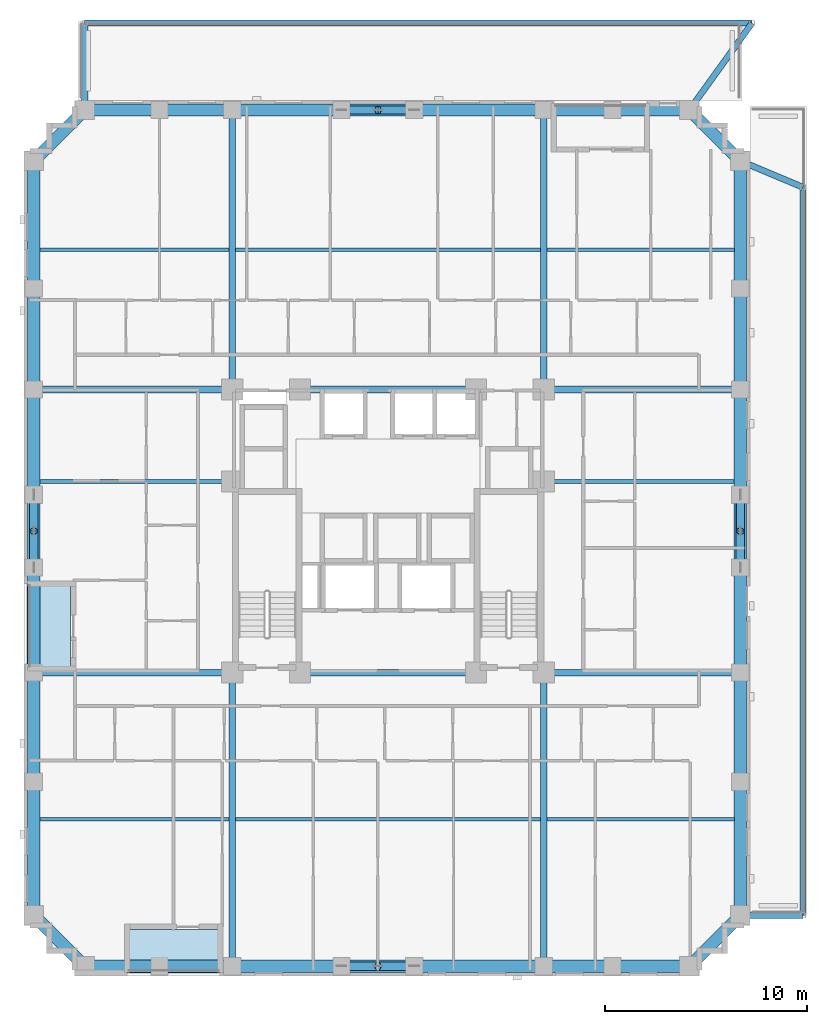
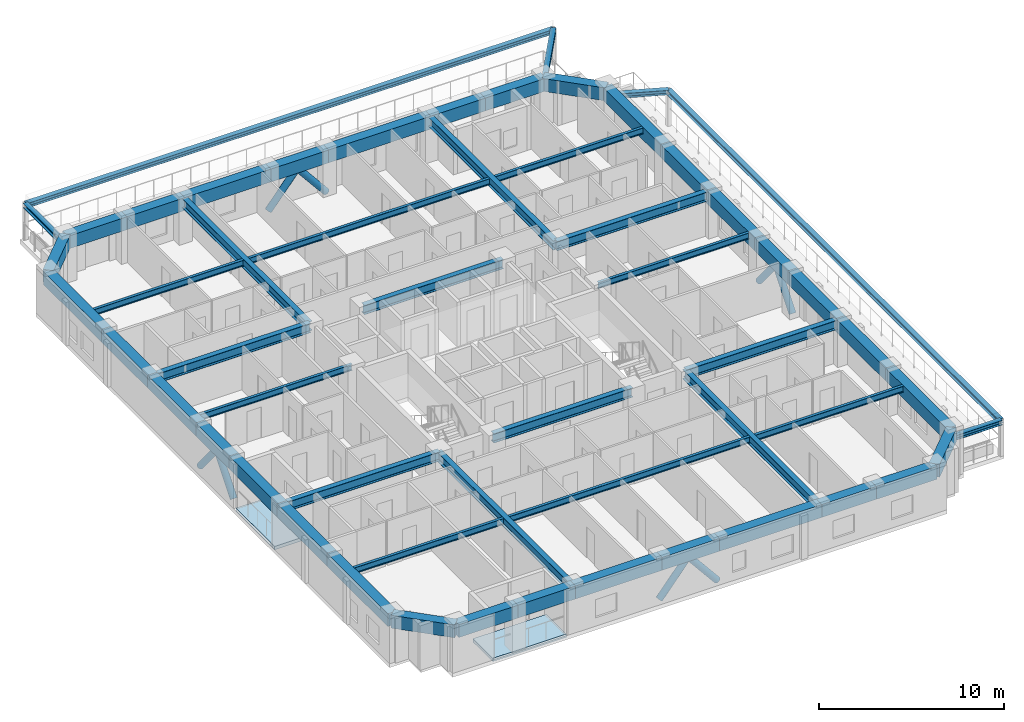
# One storey, part 5 of 16: 56 beams, 8 members, 2 slabs.
"""IFC4 building model written with IfcOpenShell, lengths in metres."""

from ifc_helpers import new_model, si_unit, derived_unit, direction, frame, origin, origin_2d, place, context, subcontext, project, spatial, polyline, rectangle, hollow_circle, i_section, outline, extrude, material, layer, layer_set, material_profile, profile_set, type_object, element, save


model = new_model("IFC4")

# Units and contexts
model_context = context("Model", 3, precision=1e-05, world=origin(), true_north=direction((0.0, 1.0)))
body_context = subcontext(model_context, "Body", "Model", "MODEL_VIEW")
ifc_project = project(units=[si_unit("LENGTHUNIT", "METRE"), si_unit("AREAUNIT", "SQUARE_METRE"), si_unit("VOLUMEUNIT", "CUBIC_METRE"), si_unit("PLANEANGLEUNIT", "RADIAN"), si_unit("MASSUNIT", "GRAM", prefix="KILO"), derived_unit("THERMALTRANSMITTANCEUNIT", [(si_unit("MASSUNIT", "GRAM", prefix="KILO"), 1), (si_unit("TIMEUNIT", "SECOND"), -3), (si_unit("THERMODYNAMICTEMPERATUREUNIT", "KELVIN"), -1)])], contexts=[model_context])

# Site, building, storey
site_placement = place(None, origin())
site = spatial("IfcSite", under=ifc_project, at=site_placement, CompositionType="ELEMENT")
building_placement = place(site_placement, origin())
building = spatial("IfcBuilding", under=site, at=building_placement, Name="Korrvale Station Residences", CompositionType="ELEMENT")
storey_placement = place(building_placement, frame((0.0, 0.0, 75.10009765625)))
storey = spatial("IfcBuildingStorey", under=building, at=storey_placement, Name="L20", CompositionType="ELEMENT", Elevation=75.10009765625)

# Beams
ifc_material_1 = material(Name="Steel S355", Category="steel")
ifc_material_profile_1 = material_profile(ifc_material_1, i_section(OverallWidth=0.324951171875, OverallDepth=0.615966796875, WebThickness=0.013916015625, FlangeThickness=0.021484375, FilletRadius=0.01904296875, at=origin_2d()), Name="W610x174")
ifc_profile_set_1 = profile_set([ifc_material_profile_1], Name="Steel S355")
beam_type_1 = type_object("IfcBeamType", Name="BM-BM-W610x174-S355", PredefinedType="BEAM", material=ifc_profile_set_1)
for number, where, z_axis, x_axis, name in (
    (1, (17.800048828125, 0.47998046875, 2.6318359375), (0.0, 1.0, 0.0), (-1.0, 0.0, 0.0), "L20 Bundled-Tube Web Girder 01"),
    (2, (33.199951171875, 0.47998046875, 2.6318359375), (0.0, 1.0, 0.0), (-1.0, 0.0, 0.0), "L20 Bundled-Tube Web Girder 02"),
):
    element("IfcBeam", number, at=place(storey_placement, frame(where, z_axis=z_axis, x_axis=x_axis)), inside=storey, type_object=beam_type_1, Name=name, PredefinedType="BEAM", context=body_context, shape_type="SweptSolid", body=[
        extrude(i_section(OverallWidth=0.324951171875, OverallDepth=0.615966796875, WebThickness=0.013916015625, FlangeThickness=0.021484375, FilletRadius=0.01904296875, at=origin_2d()), origin(), (0.0, 0.0, 1.0), 14.52001953125),
    ])
for number, where, z_axis, x_axis, name in (
    (3, (17.800048828125, 29.0, 2.6318359375), (0.0, 1.0, 0.0), (-1.0, 0.0, 0.0), "L20 Bundled-Tube Web Girder 03"),
    (4, (33.199951171875, 29.0, 2.6318359375), (0.0, 1.0, 0.0), (-1.0, 0.0, 0.0), "L20 Bundled-Tube Web Girder 04"),
):
    element("IfcBeam", number, at=place(storey_placement, frame(where, z_axis=z_axis, x_axis=x_axis)), inside=storey, type_object=beam_type_1, Name=name, PredefinedType="BEAM", context=body_context, shape_type="SweptSolid", body=[
        extrude(i_section(OverallWidth=0.324951171875, OverallDepth=0.615966796875, WebThickness=0.013916015625, FlangeThickness=0.021484375, FilletRadius=0.01904296875, at=origin_2d()), origin(), (0.0, 0.0, 1.0), 13.820068359375),
    ])
beam_1_placement = place(storey_placement, frame((7.97998046875, 15.0, 2.6318359375), z_axis=(1.0, 0.0, 0.0), x_axis=(0.0, 1.0, 0.0)))
element("IfcBeam", 5, at=beam_1_placement, inside=storey, type_object=beam_type_1, Name="L20 Bundled-Tube Web Girder 05", PredefinedType="BEAM", context=body_context, shape_type="SweptSolid", body=[
    extrude(i_section(OverallWidth=0.324951171875, OverallDepth=0.615966796875, WebThickness=0.013916015625, FlangeThickness=0.021484375, FilletRadius=0.01904296875, at=origin_2d()), origin(), (0.0, 0.0, 1.0), 9.820068359375),
])
beam_2_placement = place(storey_placement, frame((33.199951171875, 15.0, 2.6318359375), z_axis=(1.0, 0.0, 0.0), x_axis=(0.0, 1.0, 0.0)))
element("IfcBeam", 6, at=beam_2_placement, inside=storey, type_object=beam_type_1, Name="L20 Bundled-Tube Web Girder 06", PredefinedType="BEAM", context=body_context, shape_type="SweptSolid", body=[
    extrude(i_section(OverallWidth=0.324951171875, OverallDepth=0.615966796875, WebThickness=0.013916015625, FlangeThickness=0.021484375, FilletRadius=0.01904296875, at=origin_2d()), origin(), (0.0, 0.0, 1.0), 9.719970703125),
])
beam_3_placement = place(storey_placement, frame((7.97998046875, 29.0, 2.6318359375), z_axis=(1.0, 0.0, 0.0), x_axis=(0.0, 1.0, 0.0)))
element("IfcBeam", 7, at=beam_3_placement, inside=storey, type_object=beam_type_1, Name="L20 Bundled-Tube Web Girder 07", PredefinedType="BEAM", context=body_context, shape_type="SweptSolid", body=[
    extrude(i_section(OverallWidth=0.324951171875, OverallDepth=0.615966796875, WebThickness=0.013916015625, FlangeThickness=0.021484375, FilletRadius=0.01904296875, at=origin_2d()), origin(), (0.0, 0.0, 1.0), 9.820068359375),
])
beam_4_placement = place(storey_placement, frame((33.199951171875, 29.0, 2.6318359375), z_axis=(1.0, 0.0, 0.0), x_axis=(0.0, 1.0, 0.0)))
element("IfcBeam", 8, at=beam_4_placement, inside=storey, type_object=beam_type_1, Name="L20 Bundled-Tube Web Girder 08", PredefinedType="BEAM", context=body_context, shape_type="SweptSolid", body=[
    extrude(i_section(OverallWidth=0.324951171875, OverallDepth=0.615966796875, WebThickness=0.013916015625, FlangeThickness=0.021484375, FilletRadius=0.01904296875, at=origin_2d()), origin(), (0.0, 0.0, 1.0), 9.719970703125),
])
for number, where, z_axis, x_axis, name in (
    (9, (21.14990234375, 15.0, 2.6318359375), (1.0, 0.0, 0.0), (0.0, 1.0, 0.0), "L20 Bundled-Tube Web Girder 09"),
    (10, (21.14990234375, 29.0, 2.6318359375), (1.0, 0.0, 0.0), (0.0, 1.0, 0.0), "L20 Bundled-Tube Web Girder 10"),
):
    element("IfcBeam", number, at=place(storey_placement, frame(where, z_axis=z_axis, x_axis=x_axis)), inside=storey, type_object=beam_type_1, Name=name, PredefinedType="BEAM", context=body_context, shape_type="SweptSolid", body=[
        extrude(i_section(OverallWidth=0.324951171875, OverallDepth=0.615966796875, WebThickness=0.013916015625, FlangeThickness=0.021484375, FilletRadius=0.01904296875, at=origin_2d()), origin(), (0.0, 0.0, 1.0), 8.7001953125),
    ])
ifc_material_profile_2 = material_profile(ifc_material_1, i_section(OverallWidth=0.177978515625, OverallDepth=0.406982421875, WebThickness=0.0078125, FlangeThickness=0.0126953125, FilletRadius=0.01611328125, at=origin_2d()), Name="W410x60")
ifc_profile_set_2 = profile_set([ifc_material_profile_2], Name="Steel S355")
beam_type_2 = type_object("IfcBeamType", Name="BM-JST-W410x60-S355", PredefinedType="JOIST", material=ifc_profile_set_2)
beam_5_placement = place(storey_placement, frame((8.280029296875, 7.739990234375, 2.736328125), z_axis=(1.0, 0.0, 0.0), x_axis=(0.0, 1.0, 0.0)))
element("IfcBeam", 11, at=beam_5_placement, inside=storey, type_object=beam_type_2, Name="L20 Floor Framing Joist 01", PredefinedType="JOIST", context=body_context, shape_type="SweptSolid", body=[
    extrude(i_section(OverallWidth=0.177978515625, OverallDepth=0.406982421875, WebThickness=0.0078125, FlangeThickness=0.0126953125, FilletRadius=0.01611328125, at=origin_2d()), origin(), (0.0, 0.0, 1.0), 9.357421875),
])
beam_6_placement = place(storey_placement, frame((17.96240234375, 7.739990234375, 2.736328125), z_axis=(1.0, 0.0, 0.0), x_axis=(0.0, 1.0, 0.0)))
element("IfcBeam", 12, at=beam_6_placement, inside=storey, type_object=beam_type_2, Name="L20 Floor Framing Joist 02", PredefinedType="JOIST", context=body_context, shape_type="SweptSolid", body=[
    extrude(i_section(OverallWidth=0.177978515625, OverallDepth=0.406982421875, WebThickness=0.0078125, FlangeThickness=0.0126953125, FilletRadius=0.01611328125, at=origin_2d()), origin(), (0.0, 0.0, 1.0), 15.0751953125),
])
beam_7_placement = place(storey_placement, frame((33.362548828125, 7.739990234375, 2.736328125), z_axis=(1.0, 0.0, 0.0), x_axis=(0.0, 1.0, 0.0)))
element("IfcBeam", 13, at=beam_7_placement, inside=storey, type_object=beam_type_2, Name="L20 Floor Framing Joist 03", PredefinedType="JOIST", context=body_context, shape_type="SweptSolid", body=[
    extrude(i_section(OverallWidth=0.177978515625, OverallDepth=0.406982421875, WebThickness=0.0078125, FlangeThickness=0.0126953125, FilletRadius=0.01611328125, at=origin_2d()), origin(), (0.0, 0.0, 1.0), 9.257568359375),
])
beam_8_placement = place(storey_placement, frame((8.280029296875, 35.909912109375, 2.736328125), z_axis=(1.0, 0.0, 0.0), x_axis=(0.0, 1.0, 0.0)))
element("IfcBeam", 14, at=beam_8_placement, inside=storey, type_object=beam_type_2, Name="L20 Floor Framing Joist 04", PredefinedType="JOIST", context=body_context, shape_type="SweptSolid", body=[
    extrude(i_section(OverallWidth=0.177978515625, OverallDepth=0.406982421875, WebThickness=0.0078125, FlangeThickness=0.0126953125, FilletRadius=0.01611328125, at=origin_2d()), origin(), (0.0, 0.0, 1.0), 9.357421875),
])
beam_9_placement = place(storey_placement, frame((17.96240234375, 35.909912109375, 2.736328125), z_axis=(1.0, 0.0, 0.0), x_axis=(0.0, 1.0, 0.0)))
element("IfcBeam", 15, at=beam_9_placement, inside=storey, type_object=beam_type_2, Name="L20 Floor Framing Joist 05", PredefinedType="JOIST", context=body_context, shape_type="SweptSolid", body=[
    extrude(i_section(OverallWidth=0.177978515625, OverallDepth=0.406982421875, WebThickness=0.0078125, FlangeThickness=0.0126953125, FilletRadius=0.01611328125, at=origin_2d()), origin(), (0.0, 0.0, 1.0), 15.0751953125),
])
beam_10_placement = place(storey_placement, frame((33.362548828125, 35.909912109375, 2.736328125), z_axis=(1.0, 0.0, 0.0), x_axis=(0.0, 1.0, 0.0)))
element("IfcBeam", 16, at=beam_10_placement, inside=storey, type_object=beam_type_2, Name="L20 Floor Framing Joist 06", PredefinedType="JOIST", context=body_context, shape_type="SweptSolid", body=[
    extrude(i_section(OverallWidth=0.177978515625, OverallDepth=0.406982421875, WebThickness=0.0078125, FlangeThickness=0.0126953125, FilletRadius=0.01611328125, at=origin_2d()), origin(), (0.0, 0.0, 1.0), 9.257568359375),
])
beam_11_placement = place(storey_placement, frame((33.199951171875, 24.449951171875, 2.736328125), z_axis=(1.0, 0.0, 0.0), x_axis=(0.0, 1.0, 0.0)))
element("IfcBeam", 17, at=beam_11_placement, inside=storey, type_object=beam_type_2, Name="L20 Floor Framing Joist 07", PredefinedType="JOIST", context=body_context, shape_type="SweptSolid", body=[
    extrude(i_section(OverallWidth=0.177978515625, OverallDepth=0.406982421875, WebThickness=0.0078125, FlangeThickness=0.0126953125, FilletRadius=0.01611328125, at=origin_2d()), origin(), (0.0, 0.0, 1.0), 9.420166015625),
])
beam_12_placement = place(storey_placement, frame((8.280029296875, 24.449951171875, 2.736328125), z_axis=(1.0, 0.0, 0.0), x_axis=(0.0, 1.0, 0.0)))
element("IfcBeam", 18, at=beam_12_placement, inside=storey, type_object=beam_type_2, Name="L20 Floor Framing Joist 08", PredefinedType="JOIST", context=body_context, shape_type="SweptSolid", body=[
    extrude(i_section(OverallWidth=0.177978515625, OverallDepth=0.406982421875, WebThickness=0.0078125, FlangeThickness=0.0126953125, FilletRadius=0.01611328125, at=origin_2d()), origin(), (0.0, 0.0, 1.0), 9.52001953125),
])
ifc_material_2 = material(Name="Concrete C60/75", Category="concrete")
ifc_material_profile_3 = material_profile(ifc_material_2, rectangle(XDim=0.60009765625, YDim=0.85009765625, at=origin_2d()), Name="RCB600x850")
ifc_profile_set_3 = profile_set([ifc_material_profile_3], Name="Concrete C60/75")
beam_type_3 = type_object("IfcBeamType", Name="BM-SPB-RCB600x850-C6075", PredefinedType="SPANDREL", material=ifc_profile_set_3)
beam_13_placement = place(storey_placement, frame((10.5, 0.47998046875, 2.514892578125), z_axis=(1.0, 0.0, 0.0), x_axis=(0.0, 1.0, 0.0)))
element("IfcBeam", 19, at=beam_13_placement, inside=storey, type_object=beam_type_3, Name="L20 South Tube Spandrel 01", PredefinedType="SPANDREL", context=body_context, shape_type="SweptSolid", body=[
    extrude(rectangle(XDim=0.60009765625, YDim=0.85009765625, at=origin_2d()), origin(), (0.0, 0.0, 1.0), 3.699951171875),
])
beam_14_placement = place(storey_placement, frame((14.199951171875, 0.47998046875, 2.514892578125), z_axis=(1.0, 0.0, 0.0), x_axis=(0.0, 1.0, 0.0)))
element("IfcBeam", 20, at=beam_14_placement, inside=storey, type_object=beam_type_3, Name="L20 South Tube Spandrel 02", PredefinedType="SPANDREL", context=body_context, shape_type="SweptSolid", body=[
    extrude(rectangle(XDim=0.60009765625, YDim=0.85009765625, at=origin_2d()), origin(), (0.0, 0.0, 1.0), 3.60009765625),
])
beam_15_placement = place(storey_placement, frame((17.800048828125, 0.47998046875, 2.514892578125), z_axis=(1.0, 0.0, 0.0), x_axis=(0.0, 1.0, 0.0)))
element("IfcBeam", 21, at=beam_15_placement, inside=storey, type_object=beam_type_3, Name="L20 South Tube Spandrel 03", PredefinedType="SPANDREL", context=body_context, shape_type="SweptSolid", body=[
    extrude(rectangle(XDim=0.60009765625, YDim=0.85009765625, at=origin_2d()), origin(), (0.0, 0.0, 1.0), 5.39990234375),
])
beam_16_placement = place(storey_placement, frame((23.199951171875, 0.47998046875, 2.514892578125), z_axis=(1.0, 0.0, 0.0), x_axis=(0.0, 1.0, 0.0)))
element("IfcBeam", 22, at=beam_16_placement, inside=storey, type_object=beam_type_3, Name="L20 South Tube Spandrel 04", PredefinedType="SPANDREL", context=body_context, shape_type="SweptSolid", body=[
    extrude(rectangle(XDim=0.60009765625, YDim=0.85009765625, at=origin_2d()), origin(), (0.0, 0.0, 1.0), 3.60009765625),
])
beam_17_placement = place(storey_placement, frame((26.800048828125, 0.47998046875, 2.514892578125), z_axis=(1.0, 0.0, 0.0), x_axis=(0.0, 1.0, 0.0)))
element("IfcBeam", 23, at=beam_17_placement, inside=storey, type_object=beam_type_3, Name="L20 South Tube Spandrel 05", PredefinedType="SPANDREL", context=body_context, shape_type="SweptSolid", body=[
    extrude(rectangle(XDim=0.60009765625, YDim=0.85009765625, at=origin_2d()), origin(), (0.0, 0.0, 1.0), 6.39990234375),
])
beam_18_placement = place(storey_placement, frame((33.199951171875, 0.47998046875, 2.514892578125), z_axis=(1.0, 0.0, 0.0), x_axis=(0.0, 1.0, 0.0)))
element("IfcBeam", 24, at=beam_18_placement, inside=storey, type_object=beam_type_3, Name="L20 South Tube Spandrel 06", PredefinedType="SPANDREL", context=body_context, shape_type="SweptSolid", body=[
    extrude(rectangle(XDim=0.60009765625, YDim=0.85009765625, at=origin_2d()), origin(), (0.0, 0.0, 1.0), 3.400146484375),
])
beam_19_placement = place(storey_placement, frame((36.60009765625, 0.47998046875, 2.514892578125), z_axis=(1.0, 0.0, 0.0), x_axis=(0.0, 1.0, 0.0)))
element("IfcBeam", 25, at=beam_19_placement, inside=storey, type_object=beam_type_3, Name="L20 South Tube Spandrel 07", PredefinedType="SPANDREL", context=body_context, shape_type="SweptSolid", body=[
    extrude(rectangle(XDim=0.60009765625, YDim=0.85009765625, at=origin_2d()), origin(), (0.0, 0.0, 1.0), 3.7998046875),
])
beam_20_placement = place(storey_placement, frame((10.5, 42.820068359375, 2.514892578125), z_axis=(1.0, 0.0, 0.0), x_axis=(0.0, 1.0, 0.0)))
element("IfcBeam", 26, at=beam_20_placement, inside=storey, type_object=beam_type_3, Name="L20 North Tube Spandrel 08", PredefinedType="SPANDREL", context=body_context, shape_type="SweptSolid", body=[
    extrude(rectangle(XDim=0.60009765625, YDim=0.85009765625, at=origin_2d()), origin(), (0.0, 0.0, 1.0), 3.699951171875),
])
beam_21_placement = place(storey_placement, frame((14.199951171875, 42.820068359375, 2.514892578125), z_axis=(1.0, 0.0, 0.0), x_axis=(0.0, 1.0, 0.0)))
element("IfcBeam", 27, at=beam_21_placement, inside=storey, type_object=beam_type_3, Name="L20 North Tube Spandrel 09", PredefinedType="SPANDREL", context=body_context, shape_type="SweptSolid", body=[
    extrude(rectangle(XDim=0.60009765625, YDim=0.85009765625, at=origin_2d()), origin(), (0.0, 0.0, 1.0), 3.60009765625),
])
beam_22_placement = place(storey_placement, frame((17.800048828125, 42.820068359375, 2.514892578125), z_axis=(1.0, 0.0, 0.0), x_axis=(0.0, 1.0, 0.0)))
element("IfcBeam", 28, at=beam_22_placement, inside=storey, type_object=beam_type_3, Name="L20 North Tube Spandrel 10", PredefinedType="SPANDREL", context=body_context, shape_type="SweptSolid", body=[
    extrude(rectangle(XDim=0.60009765625, YDim=0.85009765625, at=origin_2d()), origin(), (0.0, 0.0, 1.0), 5.39990234375),
])
beam_23_placement = place(storey_placement, frame((23.199951171875, 42.820068359375, 2.514892578125), z_axis=(1.0, 0.0, 0.0), x_axis=(0.0, 1.0, 0.0)))
element("IfcBeam", 29, at=beam_23_placement, inside=storey, type_object=beam_type_3, Name="L20 North Tube Spandrel 11", PredefinedType="SPANDREL", context=body_context, shape_type="SweptSolid", body=[
    extrude(rectangle(XDim=0.60009765625, YDim=0.85009765625, at=origin_2d()), origin(), (0.0, 0.0, 1.0), 3.60009765625),
])
beam_24_placement = place(storey_placement, frame((26.800048828125, 42.820068359375, 2.514892578125), z_axis=(1.0, 0.0, 0.0), x_axis=(0.0, 1.0, 0.0)))
element("IfcBeam", 30, at=beam_24_placement, inside=storey, type_object=beam_type_3, Name="L20 North Tube Spandrel 12", PredefinedType="SPANDREL", context=body_context, shape_type="SweptSolid", body=[
    extrude(rectangle(XDim=0.60009765625, YDim=0.85009765625, at=origin_2d()), origin(), (0.0, 0.0, 1.0), 6.39990234375),
])
beam_25_placement = place(storey_placement, frame((33.199951171875, 42.820068359375, 2.514892578125), z_axis=(1.0, 0.0, 0.0), x_axis=(0.0, 1.0, 0.0)))
element("IfcBeam", 31, at=beam_25_placement, inside=storey, type_object=beam_type_3, Name="L20 North Tube Spandrel 13", PredefinedType="SPANDREL", context=body_context, shape_type="SweptSolid", body=[
    extrude(rectangle(XDim=0.60009765625, YDim=0.85009765625, at=origin_2d()), origin(), (0.0, 0.0, 1.0), 3.400146484375),
])
beam_26_placement = place(storey_placement, frame((36.60009765625, 42.820068359375, 2.514892578125), z_axis=(1.0, 0.0, 0.0), x_axis=(0.0, 1.0, 0.0)))
element("IfcBeam", 32, at=beam_26_placement, inside=storey, type_object=beam_type_3, Name="L20 North Tube Spandrel 14", PredefinedType="SPANDREL", context=body_context, shape_type="SweptSolid", body=[
    extrude(rectangle(XDim=0.60009765625, YDim=0.85009765625, at=origin_2d()), origin(), (0.0, 0.0, 1.0), 3.7998046875),
])
beam_27_placement = place(storey_placement, frame((7.97998046875, 3.0, 2.514892578125), z_axis=(0.0, 1.0, 0.0), x_axis=(-1.0, 0.0, 0.0)))
element("IfcBeam", 33, at=beam_27_placement, inside=storey, type_object=beam_type_3, Name="L20 West Tube Spandrel 15", PredefinedType="SPANDREL", context=body_context, shape_type="SweptSolid", body=[
    extrude(rectangle(XDim=0.60009765625, YDim=0.85009765625, at=origin_2d()), origin(), (0.0, 0.0, 1.0), 6.60009765625),
])
beam_28_placement = place(storey_placement, frame((7.97998046875, 9.60009765625, 2.514892578125), z_axis=(0.0, 1.0, 0.0), x_axis=(-1.0, 0.0, 0.0)))
element("IfcBeam", 34, at=beam_28_placement, inside=storey, type_object=beam_type_3, Name="L20 West Tube Spandrel 16", PredefinedType="SPANDREL", context=body_context, shape_type="SweptSolid", body=[
    extrude(rectangle(XDim=0.60009765625, YDim=0.85009765625, at=origin_2d()), origin(), (0.0, 0.0, 1.0), 5.39990234375),
])
beam_29_placement = place(storey_placement, frame((7.97998046875, 15.0, 2.514892578125), z_axis=(0.0, 1.0, 0.0), x_axis=(-1.0, 0.0, 0.0)))
element("IfcBeam", 35, at=beam_29_placement, inside=storey, type_object=beam_type_3, Name="L20 West Tube Spandrel 17", PredefinedType="SPANDREL", context=body_context, shape_type="SweptSolid", body=[
    extrude(rectangle(XDim=0.60009765625, YDim=0.85009765625, at=origin_2d()), origin(), (0.0, 0.0, 1.0), 5.199951171875),
])
beam_30_placement = place(storey_placement, frame((7.97998046875, 20.199951171875, 2.514892578125), z_axis=(0.0, 1.0, 0.0), x_axis=(-1.0, 0.0, 0.0)))
element("IfcBeam", 36, at=beam_30_placement, inside=storey, type_object=beam_type_3, Name="L20 West Tube Spandrel 18", PredefinedType="SPANDREL", context=body_context, shape_type="SweptSolid", body=[
    extrude(rectangle(XDim=0.60009765625, YDim=0.85009765625, at=origin_2d()), origin(), (0.0, 0.0, 1.0), 3.60009765625),
])
beam_31_placement = place(storey_placement, frame((7.97998046875, 23.800048828125, 2.514892578125), z_axis=(0.0, 1.0, 0.0), x_axis=(-1.0, 0.0, 0.0)))
element("IfcBeam", 37, at=beam_31_placement, inside=storey, type_object=beam_type_3, Name="L20 West Tube Spandrel 19", PredefinedType="SPANDREL", context=body_context, shape_type="SweptSolid", body=[
    extrude(rectangle(XDim=0.60009765625, YDim=0.85009765625, at=origin_2d()), origin(), (0.0, 0.0, 1.0), 5.199951171875),
])
beam_32_placement = place(storey_placement, frame((7.97998046875, 29.0, 2.514892578125), z_axis=(0.0, 1.0, 0.0), x_axis=(-1.0, 0.0, 0.0)))
element("IfcBeam", 38, at=beam_32_placement, inside=storey, type_object=beam_type_3, Name="L20 West Tube Spandrel 20", PredefinedType="SPANDREL", context=body_context, shape_type="SweptSolid", body=[
    extrude(rectangle(XDim=0.60009765625, YDim=0.85009765625, at=origin_2d()), origin(), (0.0, 0.0, 1.0), 5.0),
])
beam_33_placement = place(storey_placement, frame((7.97998046875, 34.0, 2.514892578125), z_axis=(0.0, 1.0, 0.0), x_axis=(-1.0, 0.0, 0.0)))
element("IfcBeam", 39, at=beam_33_placement, inside=storey, type_object=beam_type_3, Name="L20 West Tube Spandrel 21", PredefinedType="SPANDREL", context=body_context, shape_type="SweptSolid", body=[
    extrude(rectangle(XDim=0.60009765625, YDim=0.85009765625, at=origin_2d()), origin(), (0.0, 0.0, 1.0), 6.300048828125),
])
beam_34_placement = place(storey_placement, frame((42.919921875, 3.0, 2.514892578125), z_axis=(0.0, 1.0, 0.0), x_axis=(-1.0, 0.0, 0.0)))
element("IfcBeam", 40, at=beam_34_placement, inside=storey, type_object=beam_type_3, Name="L20 East Tube Spandrel 22", PredefinedType="SPANDREL", context=body_context, shape_type="SweptSolid", body=[
    extrude(rectangle(XDim=0.60009765625, YDim=0.85009765625, at=origin_2d()), origin(), (0.0, 0.0, 1.0), 6.60009765625),
])
beam_35_placement = place(storey_placement, frame((42.919921875, 9.60009765625, 2.514892578125), z_axis=(0.0, 1.0, 0.0), x_axis=(-1.0, 0.0, 0.0)))
element("IfcBeam", 41, at=beam_35_placement, inside=storey, type_object=beam_type_3, Name="L20 East Tube Spandrel 23", PredefinedType="SPANDREL", context=body_context, shape_type="SweptSolid", body=[
    extrude(rectangle(XDim=0.60009765625, YDim=0.85009765625, at=origin_2d()), origin(), (0.0, 0.0, 1.0), 5.39990234375),
])
beam_36_placement = place(storey_placement, frame((42.919921875, 15.0, 2.514892578125), z_axis=(0.0, 1.0, 0.0), x_axis=(-1.0, 0.0, 0.0)))
element("IfcBeam", 42, at=beam_36_placement, inside=storey, type_object=beam_type_3, Name="L20 East Tube Spandrel 24", PredefinedType="SPANDREL", context=body_context, shape_type="SweptSolid", body=[
    extrude(rectangle(XDim=0.60009765625, YDim=0.85009765625, at=origin_2d()), origin(), (0.0, 0.0, 1.0), 5.199951171875),
])
beam_37_placement = place(storey_placement, frame((42.919921875, 20.199951171875, 2.514892578125), z_axis=(0.0, 1.0, 0.0), x_axis=(-1.0, 0.0, 0.0)))
element("IfcBeam", 43, at=beam_37_placement, inside=storey, type_object=beam_type_3, Name="L20 East Tube Spandrel 25", PredefinedType="SPANDREL", context=body_context, shape_type="SweptSolid", body=[
    extrude(rectangle(XDim=0.60009765625, YDim=0.85009765625, at=origin_2d()), origin(), (0.0, 0.0, 1.0), 3.60009765625),
])
beam_38_placement = place(storey_placement, frame((42.919921875, 23.800048828125, 2.514892578125), z_axis=(0.0, 1.0, 0.0), x_axis=(-1.0, 0.0, 0.0)))
element("IfcBeam", 44, at=beam_38_placement, inside=storey, type_object=beam_type_3, Name="L20 East Tube Spandrel 26", PredefinedType="SPANDREL", context=body_context, shape_type="SweptSolid", body=[
    extrude(rectangle(XDim=0.60009765625, YDim=0.85009765625, at=origin_2d()), origin(), (0.0, 0.0, 1.0), 5.199951171875),
])
beam_39_placement = place(storey_placement, frame((42.919921875, 29.0, 2.514892578125), z_axis=(0.0, 1.0, 0.0), x_axis=(-1.0, 0.0, 0.0)))
element("IfcBeam", 45, at=beam_39_placement, inside=storey, type_object=beam_type_3, Name="L20 East Tube Spandrel 27", PredefinedType="SPANDREL", context=body_context, shape_type="SweptSolid", body=[
    extrude(rectangle(XDim=0.60009765625, YDim=0.85009765625, at=origin_2d()), origin(), (0.0, 0.0, 1.0), 5.0),
])
beam_40_placement = place(storey_placement, frame((42.919921875, 34.0, 2.514892578125), z_axis=(0.0, 1.0, 0.0), x_axis=(-1.0, 0.0, 0.0)))
element("IfcBeam", 46, at=beam_40_placement, inside=storey, type_object=beam_type_3, Name="L20 East Tube Spandrel 28", PredefinedType="SPANDREL", context=body_context, shape_type="SweptSolid", body=[
    extrude(rectangle(XDim=0.60009765625, YDim=0.85009765625, at=origin_2d()), origin(), (0.0, 0.0, 1.0), 6.300048828125),
])
for number, where, z_axis, x_axis, name in (
    (47, (10.5, 0.47998046875, 2.514892578125), (-0.707106781187, 0.707106781187, 0.0), (-0.707106781187, -0.707106781187, 0.0), "L20 Serrated Corner Spandrel 29"),
    (48, (40.39990234375, 0.47998046875, 2.514892578125), (0.707106781187, 0.707106781187, 0.0), (-0.707106781187, 0.707106781187, 0.0), "L20 Serrated Corner Spandrel 30"),
    (49, (40.39990234375, 42.820068359375, 2.514892578125), (0.707106781187, -0.707106781187, 0.0), (0.707106781187, 0.707106781187, 0.0), "L20 Serrated Corner Spandrel 31"),
    (50, (10.5, 42.820068359375, 2.514892578125), (-0.707106781187, -0.707106781187, 0.0), (0.707106781187, -0.707106781187, 0.0), "L20 Serrated Corner Spandrel 32"),
):
    element("IfcBeam", number, at=place(storey_placement, frame(where, z_axis=z_axis, x_axis=x_axis)), inside=storey, type_object=beam_type_3, Name=name, PredefinedType="SPANDREL", context=body_context, shape_type="SweptSolid", body=[
        extrude(rectangle(XDim=0.60009765625, YDim=0.85009765625, at=origin_2d()), origin(), (0.0, 0.0, 1.0), 3.56396484375),
    ])
ifc_material_profile_4 = material_profile(ifc_material_1, i_section(OverallWidth=0.304931640625, OverallDepth=0.30810546875, WebThickness=0.010009765625, FlangeThickness=0.015380859375, FilletRadius=0.014892578125, at=origin_2d()), Name="W310x97")
ifc_profile_set_4 = profile_set([ifc_material_profile_4], Name="Steel S355")
beam_type_4 = type_object("IfcBeamType", Name="BM-SPB-W310x97-S355", PredefinedType="SPANDREL", material=ifc_profile_set_4)
beam_41_placement = place(storey_placement, frame((10.5, 47.1201171875, 2.245849609375), z_axis=(1.0, 0.0, 0.0), x_axis=(0.0, 1.0, 0.0)))
element("IfcBeam", 51, at=beam_41_placement, inside=storey, type_object=beam_type_4, Name="L20 Setback Canopy Edge Beam 1", PredefinedType="SPANDREL", context=body_context, shape_type="SweptSolid", body=[
    extrude(i_section(OverallWidth=0.304931640625, OverallDepth=0.30810546875, WebThickness=0.010009765625, FlangeThickness=0.015380859375, FilletRadius=0.014892578125, at=origin_2d()), origin(), (0.0, 0.0, 1.0), 33.0),
])
beam_42_placement = place(storey_placement, frame((10.5, 47.1201171875, 2.245849609375), z_axis=(0.0, -1.0, 0.0), x_axis=(1.0, 0.0, 0.0)))
element("IfcBeam", 52, at=beam_42_placement, inside=storey, type_object=beam_type_4, Name="L20 Setback Canopy Edge Beam 2", PredefinedType="SPANDREL", context=body_context, shape_type="SweptSolid", body=[
    extrude(i_section(OverallWidth=0.304931640625, OverallDepth=0.30810546875, WebThickness=0.010009765625, FlangeThickness=0.015380859375, FilletRadius=0.014892578125, at=origin_2d()), origin(), (0.0, 0.0, 1.0), 4.300048828125),
])
beam_43_placement = place(storey_placement, frame((43.5, 47.1201171875, 2.245849609375), z_axis=(-0.584809327707, -0.811170789801, 0.0), x_axis=(0.811170789801, -0.584809327707, 0.0)))
element("IfcBeam", 53, at=beam_43_placement, inside=storey, type_object=beam_type_4, Name="L20 Setback Canopy Edge Beam 3", PredefinedType="SPANDREL", context=body_context, shape_type="SweptSolid", body=[
    extrude(i_section(OverallWidth=0.304931640625, OverallDepth=0.30810546875, WebThickness=0.010009765625, FlangeThickness=0.015380859375, FilletRadius=0.014892578125, at=origin_2d()), origin(), (0.0, 0.0, 1.0), 5.301025390625),
])
beam_44_placement = place(storey_placement, frame((46.02001953125, 3.0, 2.245849609375), z_axis=(0.0, 1.0, 0.0), x_axis=(-1.0, 0.0, 0.0)))
element("IfcBeam", 54, at=beam_44_placement, inside=storey, type_object=beam_type_4, Name="L20 Setback Canopy Edge Beam 1", PredefinedType="SPANDREL", context=body_context, shape_type="SweptSolid", body=[
    extrude(i_section(OverallWidth=0.304931640625, OverallDepth=0.30810546875, WebThickness=0.010009765625, FlangeThickness=0.015380859375, FilletRadius=0.014892578125, at=origin_2d()), origin(), (0.0, 0.0, 1.0), 36.0),
])
beam_45_placement = place(storey_placement, frame((46.02001953125, 3.0, 2.245849609375), z_axis=(-1.0, 0.0, 0.0), x_axis=(0.0, -1.0, 0.0)))
element("IfcBeam", 55, at=beam_45_placement, inside=storey, type_object=beam_type_4, Name="L20 Setback Canopy Edge Beam 2", PredefinedType="SPANDREL", context=body_context, shape_type="SweptSolid", body=[
    extrude(i_section(OverallWidth=0.304931640625, OverallDepth=0.30810546875, WebThickness=0.010009765625, FlangeThickness=0.015380859375, FilletRadius=0.014892578125, at=origin_2d()), origin(), (0.0, 0.0, 1.0), 3.10009765625),
])
beam_46_placement = place(storey_placement, frame((46.02001953125, 39.0, 2.245849609375), z_axis=(-0.922193546316, 0.38672866862, 0.0), x_axis=(-0.38672866862, -0.922193546316, 0.0)))
element("IfcBeam", 56, at=beam_46_placement, inside=storey, type_object=beam_type_4, Name="L20 Setback Canopy Edge Beam 3", PredefinedType="SPANDREL", context=body_context, shape_type="SweptSolid", body=[
    extrude(i_section(OverallWidth=0.304931640625, OverallDepth=0.30810546875, WebThickness=0.010009765625, FlangeThickness=0.015380859375, FilletRadius=0.014892578125, at=origin_2d()), origin(), (0.0, 0.0, 1.0), 3.361572265625),
])

# Members
ifc_material_profile_5 = material_profile(ifc_material_1, hollow_circle(Radius=0.203125, WallThickness=0.015869140625, at=origin_2d()), Name="HSS406x16")
ifc_profile_set_5 = profile_set([ifc_material_profile_5], Name="Steel S355")
member_type = type_object("IfcMemberType", Name="MBR-BR-HSS406x16", PredefinedType="BRACE", material=ifc_profile_set_5)
for number, where, z_axis, x_axis, name in (
    (57, (23.199951171875, 0.47998046875, 0.02001953125), (0.634985494602, 0.0, 0.772524058942), (0.0, 1.0, 0.0), "L20 S Perimeter Tube Wind Brace 1"),
    (58, (26.800048828125, 0.47998046875, 0.02001953125), (-0.634985494602, 0.0, 0.772524058942), (0.0, -1.0, 0.0), "L20 S Perimeter Tube Wind Brace 2"),
    (59, (23.199951171875, 42.820068359375, 0.02001953125), (0.634985494602, 0.0, 0.772524058942), (0.0, 1.0, 0.0), "L20 N Perimeter Tube Wind Brace 1"),
    (60, (26.800048828125, 42.820068359375, 0.02001953125), (-0.634985494602, 0.0, 0.772524058942), (0.0, -1.0, 0.0), "L20 N Perimeter Tube Wind Brace 2"),
    (61, (7.97998046875, 20.199951171875, 0.02001953125), (0.0, 0.634985494602, 0.772524058942), (-1.0, 0.0, 0.0), "L20 W Perimeter Tube Wind Brace 1"),
    (62, (7.97998046875, 23.800048828125, 0.02001953125), (0.0, -0.634985494602, 0.772524058942), (1.0, 0.0, 0.0), "L20 W Perimeter Tube Wind Brace 2"),
    (63, (42.919921875, 20.199951171875, 0.02001953125), (0.0, 0.634985494602, 0.772524058942), (-1.0, 0.0, 0.0), "L20 E Perimeter Tube Wind Brace 1"),
    (64, (42.919921875, 23.800048828125, 0.02001953125), (0.0, -0.634985494602, 0.772524058942), (1.0, 0.0, 0.0), "L20 E Perimeter Tube Wind Brace 2"),
):
    element("IfcMember", number, at=place(storey_placement, frame(where, z_axis=z_axis, x_axis=x_axis)), inside=storey, type_object=member_type, Name=name, PredefinedType="BRACE", context=body_context, shape_type="SweptSolid", body=[
        extrude(hollow_circle(Radius=0.203125, WallThickness=0.015869140625, at=origin_2d()), origin(), (0.0, 0.0, 1.0), 2.834716796875),
    ])

# Slabs
ifc_material_3 = material(Name="Concrete C50/60", Category="concrete")
ifc_layer = layer(ifc_material_3, 0.219970703125, Name="Concrete C50/60")
ifc_layer_set = layer_set([ifc_layer], Name="Concrete C50/60")
slab_type = type_object("IfcSlabType", Name="SLB-BAL-220", PredefinedType="FLOOR", material=ifc_layer_set)
slab_1_placement = place(storey_placement, frame((0.0, 0.0, -0.22021484375)))
element("IfcSlab", 65, at=slab_1_placement, inside=storey, type_object=slab_type, Name="L20 Recessed Loggia Balcony Slab BAL-L20-S1", PredefinedType="FLOOR", context=body_context, shape_type="SweptSolid", body=[
    extrude(outline(polyline([(12.60009765625, 0.14990234375), (17.199951171875, 0.14990234375), (17.199951171875, 2.300048828125), (12.60009765625, 2.300048828125), (12.60009765625, 0.14990234375)])), origin(), (0.0, 0.0, 1.0), 0.22021484375),
])
slab_2_placement = place(storey_placement, frame((0.0, 0.0, -0.22021484375)))
element("IfcSlab", 66, at=slab_2_placement, inside=storey, type_object=slab_type, Name="L20 Recessed Loggia Balcony Slab BAL-L20-W1", PredefinedType="FLOOR", context=body_context, shape_type="SweptSolid", body=[
    extrude(outline(polyline([(7.64990234375, 15.199951171875), (9.800048828125, 15.199951171875), (9.800048828125, 19.39990234375), (7.64990234375, 19.39990234375), (7.64990234375, 15.199951171875)])), origin(), (0.0, 0.0, 1.0), 0.22021484375),
])

save(model, "model.ifc")
